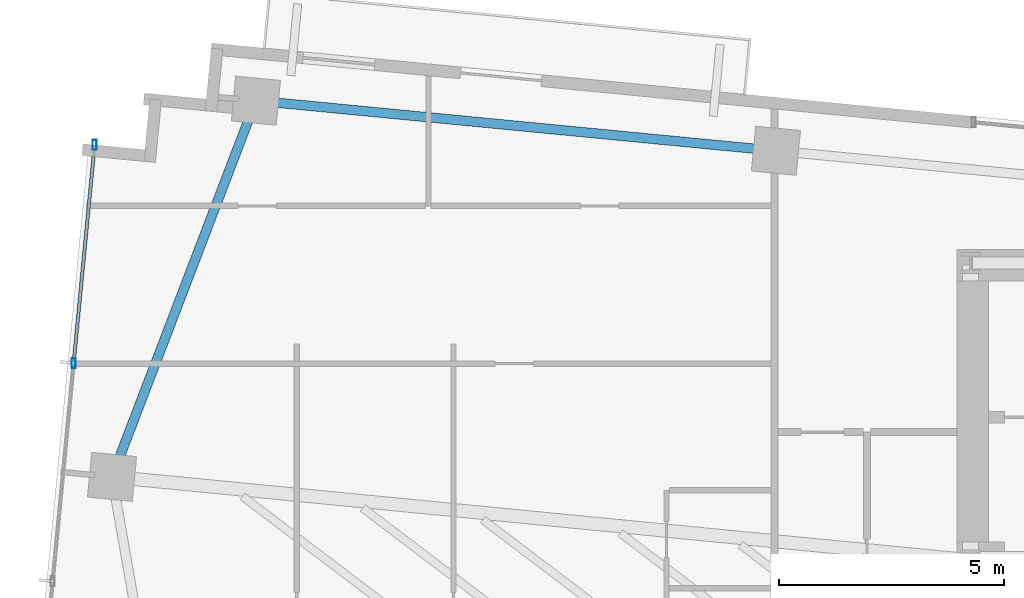
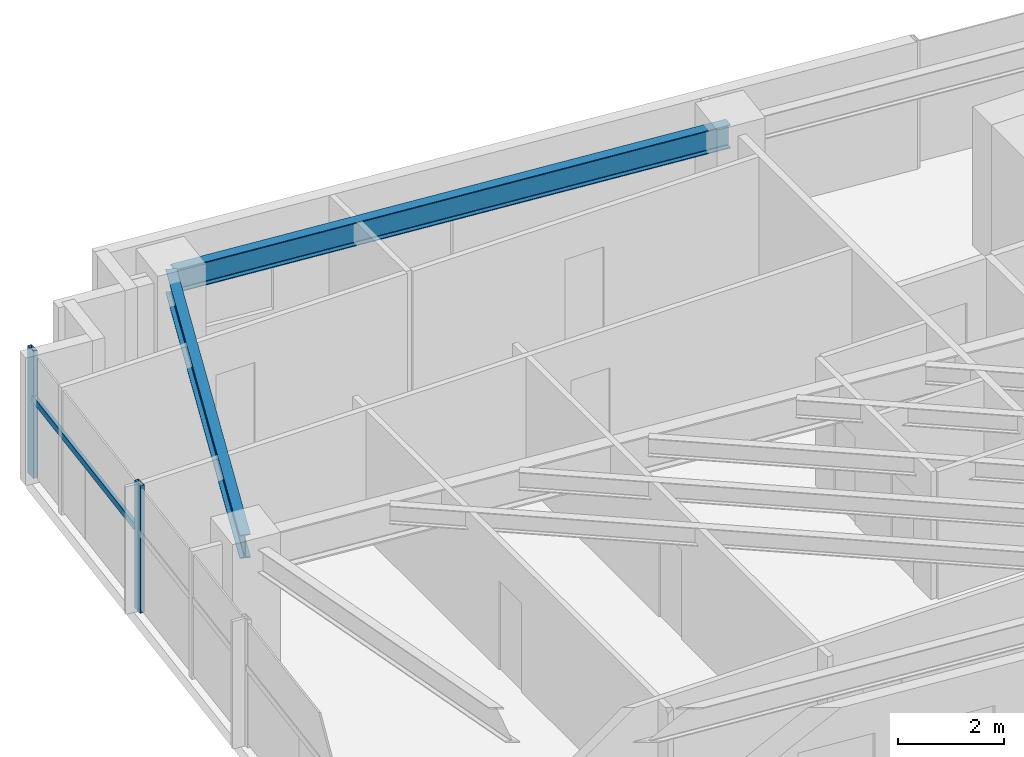
# One storey, part 6 of 19: 3 members, 2 beams, 1 element without a shape of its own.
"""IFC4 building model written with IfcOpenShell, lengths in metres."""

from ifc_helpers import new_model, si_unit, direction, frame, origin, origin_2d, place, context, subcontext, project, spatial, hollow_rectangle, i_section, extrude, source, transform, mapped, material, material_profile, profile_set, type_object, type_shapes, element, aggregate, save


model = new_model("IFC4")

# Units and contexts
model_context = context("Model", 3, precision=1e-05, world=origin(), true_north=direction((0.0, 1.0)))
body_context = subcontext(model_context, "Body", "Model", "MODEL_VIEW")
ifc_project = project(units=[si_unit("LENGTHUNIT", "METRE"), si_unit("AREAUNIT", "SQUARE_METRE"), si_unit("VOLUMEUNIT", "CUBIC_METRE"), si_unit("PLANEANGLEUNIT", "RADIAN"), si_unit("MASSUNIT", "GRAM", prefix="KILO")], contexts=[model_context])

# Site, building, storey
site_placement = place(None, origin())
site = spatial("IfcSite", under=ifc_project, at=site_placement, CompositionType="ELEMENT")
building_placement = place(site_placement, origin())
building = spatial("IfcBuilding", under=site, at=building_placement, Name="Astriad Promenade Condominiums", CompositionType="ELEMENT")
storey_placement = place(building_placement, frame((0.0, 0.0, 143.800048828125)))
storey = spatial("IfcBuildingStorey", under=building, at=storey_placement, Name="L41", CompositionType="ELEMENT", Elevation=143.800048828125)

# Beams
ifc_material_1 = material(Name="Steel ASTM A992 Grade 50", Category="steel")
ifc_material_profile_1 = material_profile(ifc_material_1, i_section(OverallWidth=0.210693359375, OverallDepth=0.53955078125, WebThickness=0.01171875, FlangeThickness=0.018798828125, FilletRadius=0.0166015625, at=origin_2d()), Name="W21X73")
ifc_profile_set_1 = profile_set([ifc_material_profile_1], Name="Steel ASTM A992 Grade 50")
beam_type = type_object("IfcBeamType", Name="STEEL SPANDREL BEAM W21X73", PredefinedType="SPANDREL", material=ifc_profile_set_1)
shared_shape_1 = source(origin(), body_context, "Body", "SweptSolid", [
    extrude(i_section(OverallWidth=0.210693359375, OverallDepth=0.53955078125, WebThickness=0.01171875, FlangeThickness=0.018798828125, FilletRadius=0.0166015625, at=origin_2d()), origin(), (0.0, 0.0, 1.0), 11.52001953125),
])
beam_1_placement = place(storey_placement, frame((22.039794921875, 26.495849609375, 2.670166015625), z_axis=(-0.9953953902, 0.095854145285, 0.0), x_axis=(-0.095854145285, -0.9953953902, 0.0)))
element("IfcBeam", 1, at=beam_1_placement, inside=storey, type_object=beam_type, Name="Perimeter Spandrel Beam SP-N1-L41", PredefinedType="SPANDREL", context=body_context, shape_type="MappedRepresentation", body=[
    mapped(shared_shape_1, transform((0.0, 0.0, 0.0), scale=1.0)),
])
shared_shape_2 = source(origin(), body_context, "Body", "SweptSolid", [
    extrude(i_section(OverallWidth=0.210693359375, OverallDepth=0.53955078125, WebThickness=0.01171875, FlangeThickness=0.018798828125, FilletRadius=0.0166015625, at=origin_2d()), origin(), (0.0, 0.0, 1.0), 8.862548828125),
])
type_shapes(beam_type, [shared_shape_1, shared_shape_2])
beam_2_placement = place(storey_placement, frame((10.518798828125, 27.56640625, 2.670166015625), z_axis=(-0.357322663703, -0.933981003021, 0.0), x_axis=(0.933981003021, -0.357322663703, 0.0)))
element("IfcBeam", 2, at=beam_2_placement, inside=storey, type_object=beam_type, Name="Perimeter Spandrel Beam SP-W2-L41", PredefinedType="SPANDREL", context=body_context, shape_type="MappedRepresentation", body=[
    mapped(shared_shape_2, transform((0.0, 0.0, 0.0), scale=1.0)),
])

# Curtain wall, members
ifc_material_2 = material(Name="Anodised aluminium Black Dark Glass Unitised", Category="aluminium")
curtain_wall_type = type_object("IfcCurtainWallType", Name="CW-B34-DARK", PredefinedType="USERDEFINED", material=ifc_material_2)
curtain_wall_placement = place(storey_placement, origin())
curtain_wall = element("IfcCurtainWall", 3, at=curtain_wall_placement, inside=storey, type_object=curtain_wall_type, Name="CW-L41-W", ObjectType="UNITISED_CURTAIN_WALL", PredefinedType="USERDEFINED")
ifc_material_3 = material(Name="Anodised aluminium 6063-T6 Black", Category="aluminium")
ifc_material_profile_2 = material_profile(ifc_material_3, hollow_rectangle(XDim=0.0849609375, YDim=0.219970703125, WallThickness=0.0048828125, at=origin_2d()), Name="ALU-MUL-85X220")
ifc_profile_set_2 = profile_set([ifc_material_profile_2], Name="Anodised aluminium 6063-T6 Black")
member_type_1 = type_object("IfcMemberType", Name="MUL-ALU-MUL-85X220", PredefinedType="MULLION", material=ifc_profile_set_2)
shared_shape_3 = source(origin(), body_context, "Body", "SweptSolid", [
    extrude(hollow_rectangle(XDim=0.0849609375, YDim=0.219970703125, WallThickness=0.0048828125, at=origin_2d()), origin(), (0.0, 0.0, 1.0), 2.93994140625),
])
type_shapes(member_type_1, [shared_shape_3])
member_1_placement = place(storey_placement, frame((6.486083984375, 21.7783203125, 0.0), z_axis=(0.0, 0.0, 1.0), x_axis=(1.0, 0.0, 0.0)))
member_1 = element("IfcMember", 4, at=member_1_placement, type_object=member_type_1, Name="CW-L41-W-MUL-02", PredefinedType="MULLION", context=body_context, shape_type="MappedRepresentation", body=[
    mapped(shared_shape_3, transform((0.0, 0.0, 0.0), scale=1.0)),
])
member_2_placement = place(storey_placement, frame((6.952392578125, 26.62255859375, 0.0), z_axis=(0.0, 0.0, 1.0), x_axis=(1.0, 0.0, 0.0)))
member_2 = element("IfcMember", 5, at=member_2_placement, type_object=member_type_1, Name="CW-L41-W-MUL-03", PredefinedType="MULLION", context=body_context, shape_type="MappedRepresentation", body=[
    mapped(shared_shape_3, transform((0.0, 0.0, 0.0), scale=1.0)),
])
ifc_material_profile_3 = material_profile(ifc_material_3, hollow_rectangle(XDim=0.074951171875, YDim=0.14990234375, WallThickness=0.004150390625, at=origin_2d()), Name="ALU-TRN-75X150")
ifc_profile_set_3 = profile_set([ifc_material_profile_3], Name="Anodised aluminium 6063-T6 Black")
member_type_2 = type_object("IfcMemberType", Name="TRN-ALU-TRN-75X150", PredefinedType="USERDEFINED", material=ifc_profile_set_3)
shared_shape_4 = source(origin(), body_context, "Body", "SweptSolid", [
    extrude(hollow_rectangle(XDim=0.074951171875, YDim=0.14990234375, WallThickness=0.004150390625, at=origin_2d()), origin(), (0.0, 0.0, 1.0), 4.86669921875),
])
type_shapes(member_type_2, [shared_shape_4])
member_3_placement = place(storey_placement, frame((6.486083984375, 21.7783203125, 1.82275390625), z_axis=(0.095817554883, 0.995398913088, 0.0), x_axis=(-0.995398913088, 0.095817554883, 0.0)))
member_3 = element("IfcMember", 6, at=member_3_placement, type_object=member_type_2, Name="CW-L41-W-TRN-02-0", ObjectType="TRANSOM", PredefinedType="USERDEFINED", context=body_context, shape_type="MappedRepresentation", body=[
    mapped(shared_shape_4, transform((0.0, 0.0, 0.0), scale=1.0)),
])
aggregate(curtain_wall, [member_1, member_2, member_3])

save(model, "model.ifc")
